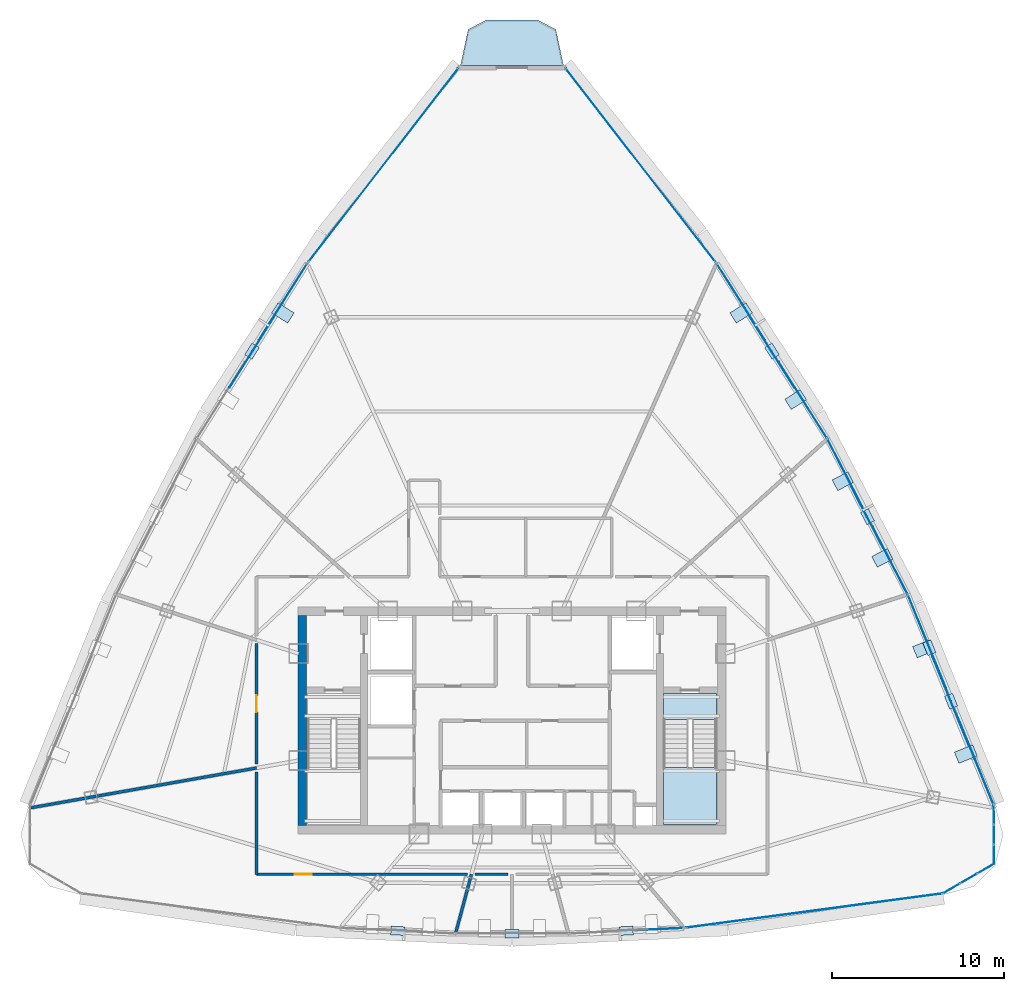
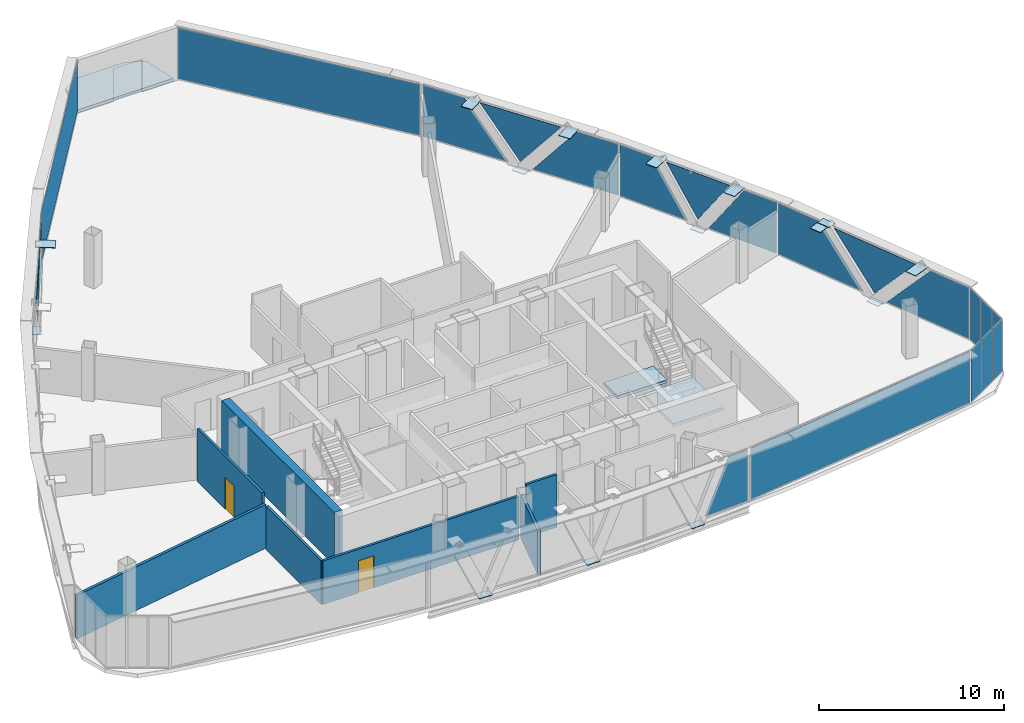
# One storey, part 21 of 27: 36 plates, 7 walls, 3 slabs, 2 doors, 2 openings, 11 elements without a shape of their own.
"""IFC4 building model written with IfcOpenShell, lengths in metres."""

from ifc_helpers import new_model, si_unit, direction, frame, frame_2d, origin, origin_with_axes, origin_2d, place, context, subcontext, project, spatial, polyline, rectangle, outline, extrude, source, transform, mapped, material, layer, layer_set, type_object, element, fill, aggregate, save


model = new_model("IFC4")

# Units and contexts
model_context = context("Model", 3, precision=1e-05, world=origin(), true_north=direction((0.0, 1.0)))
body_context = subcontext(model_context, "Body", "Model", "MODEL_VIEW")
ifc_project = project(units=[si_unit("LENGTHUNIT", "METRE"), si_unit("AREAUNIT", "SQUARE_METRE"), si_unit("VOLUMEUNIT", "CUBIC_METRE"), si_unit("PLANEANGLEUNIT", "RADIAN"), si_unit("MASSUNIT", "GRAM", prefix="KILO"), si_unit("THERMODYNAMICTEMPERATUREUNIT", "KELVIN"), si_unit("POWERUNIT", "WATT")], contexts=[model_context])

# Site, building, storey
site_placement = place(None, origin())
site = spatial("IfcSite", under=ifc_project, at=site_placement, CompositionType="ELEMENT")
building_placement = place(site_placement, origin())
building = spatial("IfcBuilding", under=site, at=building_placement, Name="Yunzhuo Pagoda Commons", CompositionType="ELEMENT")
storey_placement = place(building_placement, frame((0.0, 0.0, 344.260009765625)))
storey = spatial("IfcBuildingStorey", under=building, at=storey_placement, Name="L86", CompositionType="ELEMENT", Elevation=344.260009765625)

# Curtain wall, plate
ifc_material_1 = material(Name="Anodized aluminium 6063-T6", Category="aluminium")
ifc_layer_1 = layer(ifc_material_1, 0.139892578125)
ifc_layer_set_1 = layer_set([ifc_layer_1], Name="Anodized aluminium 6063-T6")
curtain_wall_type_1 = type_object("IfcCurtainWallType", Name="CW-HI High-Zone Ribbon Curtain Wall", PredefinedType="NOTDEFINED", material=ifc_layer_set_1)
curtain_wall_1_placement = place(storey_placement, origin())
curtain_wall_1 = element("IfcCurtainWall", 1, at=curtain_wall_1_placement, inside=storey, type_object=curtain_wall_type_1, Name="L86 curtain wall CW-L86-F1B4", PredefinedType="NOTDEFINED")
ifc_material_2 = material(Name="Tempered low-e double glazing", Category="glass")
ifc_layer_2 = layer(ifc_material_2, 0.02587890625)
ifc_layer_set_2 = layer_set([ifc_layer_2], Name="Tempered low-e double glazing")
plate_type_1 = type_object("IfcPlateType", Name="CW-HI-P Low-E Double Glazing 26", PredefinedType="CURTAIN_PANEL", material=ifc_layer_set_2)
plate_1_placement = place(storey_placement, frame((56.56884765625, 21.72509765625, 1.744873046875), z_axis=(0.048905572213, -0.998803406585, 0.0), x_axis=(0.998803406585, 0.048905572213, 0.0)))
plate_1 = element("IfcPlate", 2, at=plate_1_placement, type_object=plate_type_1, Name="CW panel 1.1 lite 3", PredefinedType="CURTAIN_PANEL", context=body_context, shape_type="SweptSolid", body=[
    extrude(outline(polyline([(-1.372802734375, -1.68994140625), (1.372802734375, -1.68994140625), (1.372802734375, 1.68994140625), (0.142822265625, 1.68994140625), (-1.372802734375, -1.68994140625)])), origin(), (0.0, 0.0, 1.0), 0.028076171875),
])
aggregate(curtain_wall_1, [plate_1])

# Curtain wall, plates
curtain_wall_2_placement = place(storey_placement, origin())
curtain_wall_2 = element("IfcCurtainWall", 3, at=curtain_wall_2_placement, inside=storey, type_object=curtain_wall_type_1, Name="L86 curtain wall CW-L86-F2B2", PredefinedType="NOTDEFINED")
plate_2_placement = place(storey_placement, frame((74.89501953125, 31.609619140625, 1.744873046875), z_axis=(0.925729863061, 0.37818543155, 0.0), x_axis=(-0.37818543155, 0.925729863061, 0.0)))
plate_2 = element("IfcPlate", 4, at=plate_2_placement, type_object=plate_type_1, Name="CW panel 1.1 lite 1", PredefinedType="CURTAIN_PANEL", context=body_context, shape_type="SweptSolid", body=[
    extrude(outline(polyline([(-2.835205078125, -1.68994140625), (2.835205078125, -1.68994140625), (-0.184326171875, 1.68994140625), (-2.835205078125, 1.68994140625), (-2.835205078125, -1.68994140625)])), origin(), (0.0, 0.0, 1.0), 0.028076171875),
])
plate_3_placement = place(storey_placement, frame((73.495849609375, 34.955078125, 1.872802734375), z_axis=(0.925729863061, 0.37818543155, 0.0), x_axis=(-0.37818543155, 0.925729863061, 0.0)))
plate_3 = element("IfcPlate", 5, at=plate_3_placement, type_object=plate_type_1, Name="CW panel 1.1 lite 2", PredefinedType="CURTAIN_PANEL", context=body_context, shape_type="SweptSolid", body=[
    extrude(outline(polyline([(-2.791259765625, 1.562255859375), (0.0, -1.562255859375), (2.791259765625, 1.562255859375), (-2.791259765625, 1.562255859375)])), origin(), (0.0, 0.0, 1.0), 0.028076171875),
])
plate_4_placement = place(storey_placement, frame((72.11865234375, 38.406005859375, 1.744873046875), z_axis=(0.925729863061, 0.37818543155, 0.0), x_axis=(-0.37818543155, 0.925729863061, 0.0)))
plate_4 = element("IfcPlate", 6, at=plate_4_placement, type_object=plate_type_1, Name="CW panel 1.1 lite 3", PredefinedType="CURTAIN_PANEL", context=body_context, shape_type="SweptSolid", body=[
    extrude(outline(polyline([(-2.924560546875, -1.68994140625), (2.924560546875, -1.68994140625), (2.924560546875, 1.68994140625), (0.0947265625, 1.68994140625), (-2.924560546875, -1.68994140625)])), origin(), (0.0, 0.0, 1.0), 0.028076171875),
])
aggregate(curtain_wall_2, [plate_2, plate_3, plate_4])

curtain_wall_3_placement = place(storey_placement, origin())
curtain_wall_3 = element("IfcCurtainWall", 7, at=curtain_wall_3_placement, inside=storey, type_object=curtain_wall_type_1, Name="L86 curtain wall CW-L86-F2B3", PredefinedType="NOTDEFINED")
plate_5_placement = place(storey_placement, frame((69.9638671875, 43.154052734375, 1.744873046875), z_axis=(0.888380452968, 0.459108016467, 0.0), x_axis=(-0.459108016467, 0.888380452968, 0.0)))
plate_5 = element("IfcPlate", 8, at=plate_5_placement, type_object=plate_type_1, Name="CW panel 1.1 lite 1", PredefinedType="CURTAIN_PANEL", context=body_context, shape_type="SweptSolid", body=[
    extrude(outline(polyline([(-2.17578125, -1.68994140625), (2.17578125, -1.68994140625), (-0.115478515625, 1.68994140625), (-2.17578125, 1.68994140625), (-2.17578125, -1.68994140625)])), origin(), (0.0, 0.0, 1.0), 0.028076171875),
])
plate_6_placement = place(storey_placement, frame((68.62939453125, 45.6708984375, 1.926025390625), z_axis=(0.888380452968, 0.459108016467, 0.0), x_axis=(-0.459108016467, 0.888380452968, 0.0)))
plate_6 = element("IfcPlate", 9, at=plate_6_placement, type_object=plate_type_1, Name="CW panel 1.1 lite 2", PredefinedType="CURTAIN_PANEL", context=body_context, shape_type="SweptSolid", body=[
    extrude(outline(polyline([(-2.0458984375, 1.5087890625), (0.0, -1.5087890625), (2.0458984375, 1.5087890625), (-2.0458984375, 1.5087890625)])), origin(), (0.0, 0.0, 1.0), 0.028076171875),
])
plate_7_placement = place(storey_placement, frame((67.34814453125, 48.21533203125, 1.744873046875), z_axis=(0.888380452968, 0.459108016467, 0.0), x_axis=(-0.459108016467, 0.888380452968, 0.0)))
plate_7 = element("IfcPlate", 10, at=plate_7_placement, type_object=plate_type_1, Name="CW panel 1.1 lite 3", PredefinedType="CURTAIN_PANEL", context=body_context, shape_type="SweptSolid", body=[
    extrude(outline(polyline([(-2.17578125, -1.68994140625), (2.17578125, -1.68994140625), (2.17578125, 1.68994140625), (0.115478515625, 1.68994140625), (-2.17578125, -1.68994140625)])), origin(), (0.0, 0.0, 1.0), 0.028076171875),
])
aggregate(curtain_wall_3, [plate_5, plate_6, plate_7])

curtain_wall_4_placement = place(storey_placement, origin())
curtain_wall_4 = element("IfcCurtainWall", 11, at=curtain_wall_4_placement, inside=storey, type_object=curtain_wall_type_1, Name="L86 curtain wall CW-L86-F2B4", PredefinedType="NOTDEFINED")
plate_8_placement = place(storey_placement, frame((64.894287109375, 52.46484375, 1.744873046875), z_axis=(0.845817518552, 0.533472328532, 0.0), x_axis=(-0.533472328532, 0.845817518552, 0.0)))
plate_8 = element("IfcPlate", 12, at=plate_8_placement, type_object=plate_type_1, Name="CW panel 1.1 lite 1", PredefinedType="CURTAIN_PANEL", context=body_context, shape_type="SweptSolid", body=[
    extrude(outline(polyline([(-2.616943359375, -1.68994140625), (2.616943359375, -1.68994140625), (-0.102783203125, 1.68994140625), (-2.616943359375, 1.68994140625), (-2.616943359375, -1.68994140625)])), origin(), (0.0, 0.0, 1.0), 0.028076171875),
])
plate_9_placement = place(storey_placement, frame((63.077392578125, 55.2890625, 1.890625), z_axis=(0.845817518552, 0.533472328532, 0.0), x_axis=(-0.533472328532, 0.845817518552, 0.0)))
plate_9 = element("IfcPlate", 13, at=plate_9_placement, type_object=plate_type_1, Name="CW panel 1.1 lite 2", PredefinedType="CURTAIN_PANEL", context=body_context, shape_type="SweptSolid", body=[
    extrude(outline(polyline([(-2.4853515625, 1.54443359375), (0.0, -1.54443359375), (2.4853515625, 1.54443359375), (-2.4853515625, 1.54443359375)])), origin(), (0.0, 0.0, 1.0), 0.028076171875),
])
plate_10_placement = place(storey_placement, frame((61.311279296875, 58.145263671875, 1.744873046875), z_axis=(0.845817518552, 0.533472328532, 0.0), x_axis=(-0.533472328532, 0.845817518552, 0.0)))
plate_10 = element("IfcPlate", 14, at=plate_10_placement, type_object=plate_type_1, Name="CW panel 1.1 lite 3", PredefinedType="CURTAIN_PANEL", context=body_context, shape_type="SweptSolid", body=[
    extrude(outline(polyline([(-2.616943359375, -1.68994140625), (2.616943359375, -1.68994140625), (2.616943359375, 1.68994140625), (0.102783203125, 1.68994140625), (-2.616943359375, -1.68994140625)])), origin(), (0.0, 0.0, 1.0), 0.028076171875),
])
aggregate(curtain_wall_4, [plate_8, plate_9, plate_10])

curtain_wall_5_placement = place(storey_placement, origin())
curtain_wall_5 = element("IfcCurtainWall", 15, at=curtain_wall_5_placement, inside=storey, type_object=curtain_wall_type_1, Name="L86 curtain wall CW-L86-F3B2", PredefinedType="NOTDEFINED")
plate_11_placement = place(storey_placement, frame((34.688720703125, 58.145263671875, 1.744873046875), z_axis=(-0.845817518552, 0.533472328532, 0.0), x_axis=(-0.533472328532, -0.845817518552, 0.0)))
plate_11 = element("IfcPlate", 16, at=plate_11_placement, type_object=plate_type_1, Name="CW panel 1.1 lite 1", PredefinedType="CURTAIN_PANEL", context=body_context, shape_type="SweptSolid", body=[
    extrude(outline(polyline([(-2.616943359375, -1.68994140625), (2.616943359375, -1.68994140625), (-0.102783203125, 1.68994140625), (-2.616943359375, 1.68994140625), (-2.616943359375, -1.68994140625)])), origin(), (0.0, 0.0, 1.0), 0.028076171875),
])
plate_12_placement = place(storey_placement, frame((32.922607421875, 55.2890625, 1.890625), z_axis=(-0.845817518552, 0.533472328532, 0.0), x_axis=(-0.533472328532, -0.845817518552, 0.0)))
plate_12 = element("IfcPlate", 17, at=plate_12_placement, type_object=plate_type_1, Name="CW panel 1.1 lite 2", PredefinedType="CURTAIN_PANEL", context=body_context, shape_type="SweptSolid", body=[
    extrude(outline(polyline([(-2.485595703125, 1.54443359375), (0.0, -1.54443359375), (2.485595703125, 1.54443359375), (-2.485595703125, 1.54443359375)])), origin(), (0.0, 0.0, 1.0), 0.028076171875),
])
aggregate(curtain_wall_5, [plate_11, plate_12])

# Slab
ifc_material_3 = material(Name="Concrete C40", Category="concrete")
ifc_layer_3 = layer(ifc_material_3, 0.199951171875)
ifc_layer_set_3 = layer_set([ifc_layer_3], Name="Concrete C40")
slab_type_1 = type_object("IfcSlabType", Name="SL-BAL Vertex Balcony Deck Slab 200", PredefinedType="FLOOR", material=ifc_layer_set_3)
slab_1_placement = place(storey_placement, frame((0.0, 0.0, -0.199951171875)))
element("IfcSlab", 18, at=slab_1_placement, inside=storey, type_object=slab_type_1, Name="L86 corner balcony V3", PredefinedType="FLOOR", context=body_context, shape_type="SweptSolid", body=[
    extrude(outline(polyline([(50.996337890625, 71.916259765625), (45.003662109375, 71.916259765625), (45.45361328125, 74.01123046875), (46.501708984375, 74.561279296875), (49.498291015625, 74.561279296875), (50.54638671875, 74.01123046875), (50.996337890625, 71.916259765625)])), origin(), (0.0, 0.0, 1.0), 0.199951171875),
])

# Stair, slabs
stair_type = type_object("IfcStairType", Name="ST-C2 Core Smokeproof Stair ST2", PredefinedType="HALF_TURN_STAIR", material=ifc_material_3)
stair_placement = place(storey_placement, origin())
stair = element("IfcStair", 19, at=stair_placement, inside=storey, type_object=stair_type, Name="L86 Core smokeproof stair ST2", PredefinedType="HALF_TURN_STAIR")
ifc_layer_4 = layer(ifc_material_3, 0.201904296875)
ifc_layer_set_4 = layer_set([ifc_layer_4], Name="Concrete C40")
slab_type_2 = type_object("IfcSlabType", Name="SL-LND2 Stair Landing Slab 202", PredefinedType="LANDING", material=ifc_layer_set_4)
slab_2_placement = place(storey_placement, frame((0.0, 0.0, 1.675048828125)))
slab_2 = element("IfcSlab", 20, at=slab_2_placement, type_object=slab_type_2, Name="ST2 landing 1", PredefinedType="LANDING", context=body_context, shape_type="SweptSolid", body=[
    extrude(outline(polyline([(56.800048828125, 31.10009765625), (56.800048828125, 27.800048828125), (59.89990234375, 27.800048828125), (59.89990234375, 31.10009765625), (56.800048828125, 31.10009765625)])), origin(), (0.0, 0.0, 1.0), 0.199951171875),
])
slab_3_placement = place(storey_placement, frame((0.0, 0.0, -0.199951171875)))
slab_3 = element("IfcSlab", 21, at=slab_3_placement, type_object=slab_type_2, Name="ST2 floor landing L86", PredefinedType="LANDING", context=body_context, shape_type="SweptSolid", body=[
    extrude(outline(polyline([(56.800048828125, 35.39990234375), (56.800048828125, 33.89990234375), (59.89990234375, 33.89990234375), (59.89990234375, 35.39990234375), (56.800048828125, 35.39990234375)])), origin(), (0.0, 0.0, 1.0), 0.199951171875),
])
aggregate(stair, [slab_2, slab_3])

# Plates
ifc_material_4 = material(Name="Structural steel Q355B", Category="steel")
ifc_layer_5 = layer(ifc_material_4, 0.028076171875)
ifc_layer_set_5 = layer_set([ifc_layer_5], Name="Structural steel Q355B")
plate_type_2 = type_object("IfcPlateType", Name="SP-ND1 Lattice Node Cap Plate 800x500x28", PredefinedType="USERDEFINED", material=ifc_layer_set_5)
shared_shape_1 = source(origin(), body_context, "Body", "SweptSolid", [
    extrude(rectangle(XDim=0.800048828125, YDim=0.5, at=origin_2d()), origin(), (0.0, 0.0, 1.0), 0.028076171875),
])
for number, where, z_axis, x_axis, name in (
    (22, (41.358642578125, 21.616943359375, -0.27392578125), (0.0, 0.0, 1.0), (0.998803578204, -0.048902067096, 0.0), "L86 diamond node plate F1.1A"),
    (23, (48.0, 21.452392578125, -0.27392578125), (0.0, 0.0, 1.0), (1.0, 0.0, 0.0), "L86 diamond node plate F1.2A"),
    (24, (54.641357421875, 21.616943359375, -0.27392578125), (0.0, 0.0, 1.0), (0.998803578204, 0.048902067096, 0.0), "L86 diamond node plate F1.3A"),
    (25, (73.5205078125, 34.965087890625, -0.27392578125), (0.0, 0.0, 1.0), (-0.375755256687, 0.926718936395, 0.0), "L86 diamond node plate F2.1A"),
    (26, (68.66845703125, 45.691162109375, -0.27392578125), (0.0, 0.0, 1.0), (-0.459114770487, 0.888376962511, 0.0), "L86 diamond node plate F2.2A"),
    (27, (63.11474609375, 55.3125, -0.27392578125), (0.0, 0.0, 1.0), (-0.533466900438, 0.845820942125, 0.0), "L86 diamond node plate F2.3A"),
    (28, (32.88525390625, 55.3125, -0.27392578125), (0.0, 0.0, 1.0), (-0.533466900438, -0.845820942125, 0.0), "L86 diamond node plate F3.1A"),
):
    element("IfcPlate", number, at=place(storey_placement, frame(where, z_axis=z_axis, x_axis=x_axis)), inside=storey, type_object=plate_type_2, Name=name, ObjectType="STIFFENER_PLATE", PredefinedType="USERDEFINED", context=body_context, shape_type="MappedRepresentation", body=[
        mapped(shared_shape_1, transform((0.0, 0.0, 0.0), scale=1.0)),
    ])
ifc_layer_6 = layer(ifc_material_4, 0.028076171875)
ifc_layer_set_6 = layer_set([ifc_layer_6], Name="Structural steel Q355B")
plate_type_3 = type_object("IfcPlateType", Name="EP-DL1 Diamond Brace End Plate 800x500x28", PredefinedType="USERDEFINED", material=ifc_layer_set_6)
plate_13_placement = place(storey_placement, frame((72.26171875, 38.069580078125, 3.48779296875), z_axis=(0.0, 0.0, 1.0), x_axis=(-0.375755256687, 0.926718936395, 0.0)))
element("IfcPlate", 29, at=plate_13_placement, inside=storey, type_object=plate_type_3, Name="L86 diamond brace end plate F2.1R", ObjectType="END_PLATE", PredefinedType="USERDEFINED", context=body_context, shape_type="MappedRepresentation", body=[
    mapped(shared_shape_1, transform((0.0, 0.0, 0.0), scale=1.0)),
])
shared_shape_2 = source(origin(), body_context, "Body", "SweptSolid", [
    extrude(rectangle(XDim=0.699951171875, YDim=1.022216796875, at=origin_2d()), origin(), (0.0, 0.0, 1.0), 0.035888671875),
])
plate_14_placement = place(storey_placement, frame((69.528564453125, 43.296142578125, 3.4521484375), z_axis=(0.0, 0.0, 1.0), x_axis=(-0.459114770487, 0.888376962511, 0.0)))
element("IfcPlate", 30, at=plate_14_placement, inside=storey, type_object=plate_type_2, Name="L86 setback lattice tie plate F2.2L", ObjectType="STIFFENER_PLATE", PredefinedType="USERDEFINED", context=body_context, shape_type="MappedRepresentation", body=[
    mapped(shared_shape_2, transform((0.0, 0.0, 0.0), scale=1.0)),
])
shared_shape_3 = source(origin(), body_context, "Body", "SweptSolid", [
    extrude(rectangle(XDim=0.699951171875, YDim=1.023681640625, at=origin_2d()), origin(), (0.0, 0.0, 1.0), 0.035888671875),
])
plate_15_placement = place(storey_placement, frame((67.22900390625, 47.751220703125, 3.4521484375), z_axis=(0.0, 0.0, 1.0), x_axis=(-0.459114770487, 0.888376962511, 0.0)))
element("IfcPlate", 31, at=plate_15_placement, inside=storey, type_object=plate_type_2, Name="L86 setback lattice tie plate F2.2R", ObjectType="STIFFENER_PLATE", PredefinedType="USERDEFINED", context=body_context, shape_type="MappedRepresentation", body=[
    mapped(shared_shape_3, transform((0.0, 0.0, 0.0), scale=1.0)),
])
shared_shape_4 = source(origin(), body_context, "Body", "SweptSolid", [
    extrude(rectangle(XDim=0.699951171875, YDim=1.05029296875, at=origin_2d()), origin(), (0.0, 0.0, 1.0), 0.035888671875),
])
plate_16_placement = place(storey_placement, frame((64.492919921875, 52.49755859375, 3.4521484375), z_axis=(0.0, 0.0, 1.0), x_axis=(-0.533466900438, 0.845820942125, 0.0)))
element("IfcPlate", 32, at=plate_16_placement, inside=storey, type_object=plate_type_2, Name="L86 setback lattice tie plate F2.3L", ObjectType="STIFFENER_PLATE", PredefinedType="USERDEFINED", context=body_context, shape_type="MappedRepresentation", body=[
    mapped(shared_shape_4, transform((0.0, 0.0, 0.0), scale=1.0)),
])
shared_shape_5 = source(origin(), body_context, "Body", "SweptSolid", [
    extrude(rectangle(XDim=0.699951171875, YDim=1.10546875, at=origin_2d()), origin(), (0.0, 0.0, 1.0), 0.035888671875),
])
for number, where, z_axis, x_axis, name in (
    (33, (61.320068359375, 57.535400390625, 3.4521484375), (0.0, 0.0, 1.0), (-0.533466900438, 0.845820942125, 0.0), "L86 setback lattice tie plate F2.3R"),
    (34, (34.679931640625, 57.535400390625, 3.4521484375), (0.0, 0.0, 1.0), (-0.533466900438, -0.845820942125, 0.0), "L86 setback lattice tie plate F3.1L"),
):
    element("IfcPlate", number, at=place(storey_placement, frame(where, z_axis=z_axis, x_axis=x_axis)), inside=storey, type_object=plate_type_2, Name=name, ObjectType="STIFFENER_PLATE", PredefinedType="USERDEFINED", context=body_context, shape_type="MappedRepresentation", body=[
        mapped(shared_shape_5, transform((0.0, 0.0, 0.0), scale=1.0)),
    ])
shared_shape_6 = source(origin(), body_context, "Body", "SweptSolid", [
    extrude(rectangle(XDim=0.699951171875, YDim=1.147705078125, at=origin_2d()), origin(), (0.0, 0.0, 1.0), 0.035888671875),
])
plate_17_placement = place(storey_placement, frame((74.38134765625, 31.89013671875, 3.4521484375), z_axis=(0.0, 0.0, 1.0), x_axis=(-0.375755256687, 0.926718936395, 0.0)))
element("IfcPlate", 35, at=plate_17_placement, inside=storey, type_object=plate_type_2, Name="L86 setback lattice tie plate F2.1L", ObjectType="STIFFENER_PLATE", PredefinedType="USERDEFINED", context=body_context, shape_type="MappedRepresentation", body=[
    mapped(shared_shape_6, transform((0.0, 0.0, 0.0), scale=1.0)),
])
shared_shape_7 = source(origin(), body_context, "Body", "SweptSolid", [
    extrude(rectangle(XDim=0.699951171875, YDim=1.058349609375, at=origin_2d()), origin(), (0.0, 0.0, 1.0), 0.035888671875),
])
plate_18_placement = place(storey_placement, frame((71.91259765625, 38.009033203125, 3.4521484375), z_axis=(0.0, 0.0, 1.0), x_axis=(-0.375755256687, 0.926718936395, 0.0)))
element("IfcPlate", 36, at=plate_18_placement, inside=storey, type_object=plate_type_2, Name="L86 setback lattice tie plate F2.1R", ObjectType="STIFFENER_PLATE", PredefinedType="USERDEFINED", context=body_context, shape_type="MappedRepresentation", body=[
    mapped(shared_shape_7, transform((0.0, 0.0, 0.0), scale=1.0)),
])

# Curtain wall, plate
curtain_wall_6_placement = place(storey_placement, origin())
curtain_wall_6 = element("IfcCurtainWall", 37, at=curtain_wall_6_placement, inside=storey, type_object=curtain_wall_type_1, Name="L86 curtain wall CW-L86-F1B5", PredefinedType="NOTDEFINED")
shared_shape_8 = source(origin(), body_context, "Body", "SweptSolid", [
    extrude(rectangle(XDim=14.9833984375, YDim=0.028076171875, at=origin_2d()), origin(), (0.0, 0.0, 1.0), 3.3798828125),
])
plate_19_placement = place(storey_placement, frame((65.560791015625, 22.78857421875, 0.054931640625), z_axis=(0.0, 0.0, 1.0), x_axis=(0.991240559845, 0.132068741636, 0.0)))
plate_19 = element("IfcPlate", 38, at=plate_19_placement, type_object=plate_type_1, Name="CW panel 1.1", PredefinedType="CURTAIN_PANEL", context=body_context, shape_type="MappedRepresentation", body=[
    mapped(shared_shape_8, transform((0.0, 0.0, 0.0), scale=1.0)),
])
aggregate(curtain_wall_6, [plate_19])

curtain_wall_7_placement = place(storey_placement, origin())
curtain_wall_7 = element("IfcCurtainWall", 39, at=curtain_wall_7_placement, inside=storey, type_object=curtain_wall_type_1, Name="L86 curtain wall CW-L86-F2B5", PredefinedType="NOTDEFINED")
shared_shape_9 = source(origin(), body_context, "Body", "SweptSolid", [
    extrude(rectangle(XDim=14.180419921875, YDim=0.028076171875, at=origin_2d()), origin(), (0.0, 0.0, 1.0), 3.3798828125),
])
plate_20_placement = place(storey_placement, frame((55.470458984375, 66.12890625, 0.054931640625), z_axis=(0.0, 0.0, 1.0), x_axis=(-0.612426610189, 0.79052744869, 0.0)))
plate_20 = element("IfcPlate", 40, at=plate_20_placement, type_object=plate_type_1, Name="CW panel 1.1", PredefinedType="CURTAIN_PANEL", context=body_context, shape_type="MappedRepresentation", body=[
    mapped(shared_shape_9, transform((0.0, 0.0, 0.0), scale=1.0)),
])
aggregate(curtain_wall_7, [plate_20])

curtain_wall_8_placement = place(storey_placement, origin())
curtain_wall_8 = element("IfcCurtainWall", 41, at=curtain_wall_8_placement, inside=storey, type_object=curtain_wall_type_1, Name="L86 curtain wall CW-L86-F3B1", PredefinedType="NOTDEFINED")
plate_21_placement = place(storey_placement, frame((40.529541015625, 66.12890625, 0.054931640625), z_axis=(0.0, 0.0, 1.0), x_axis=(-0.612426610189, -0.79052744869, 0.0)))
plate_21 = element("IfcPlate", 42, at=plate_21_placement, type_object=plate_type_1, Name="CW panel 1.1", PredefinedType="CURTAIN_PANEL", context=body_context, shape_type="MappedRepresentation", body=[
    mapped(shared_shape_9, transform((0.0, 0.0, 0.0), scale=1.0)),
])
aggregate(curtain_wall_8, [plate_21])

# Curtain wall, plates
ifc_layer_7 = layer(ifc_material_1, 0.1298828125)
ifc_layer_set_7 = layer_set([ifc_layer_7], Name="Anodized aluminium 6063-T6")
curtain_wall_type_2 = type_object("IfcCurtainWallType", Name="CW-VTX Rounded Corner Curtain Wall", PredefinedType="NOTDEFINED", material=ifc_layer_set_7)
curtain_wall_9_placement = place(storey_placement, origin())
curtain_wall_9 = element("IfcCurtainWall", 43, at=curtain_wall_9_placement, inside=storey, type_object=curtain_wall_type_2, Name="L86 curtain wall CW-L86-VTX2S1", PredefinedType="NOTDEFINED")
ifc_layer_8 = layer(ifc_material_2, 0.02587890625)
ifc_layer_set_8 = layer_set([ifc_layer_8], Name="Tempered low-e double glazing")
plate_type_4 = type_object("IfcPlateType", Name="CW-VTX-P Low-E Double Glazing 26", PredefinedType="CURTAIN_PANEL", material=ifc_layer_set_8)
shared_shape_10 = source(origin(), body_context, "Body", "SweptSolid", [
    extrude(rectangle(XDim=1.076416015625, YDim=0.028076171875, at=origin_2d()), origin(), (0.0, 0.0, 1.0), 3.3798828125),
])
plate_22_placement = place(storey_placement, frame((73.559814453125, 24.083251953125, 0.054931640625), z_axis=(0.0, 0.0, 1.0), x_axis=(0.865430880416, 0.501028333753, 0.0)))
plate_22 = element("IfcPlate", 44, at=plate_22_placement, type_object=plate_type_4, Name="CW panel 1.1", PredefinedType="CURTAIN_PANEL", context=body_context, shape_type="MappedRepresentation", body=[
    mapped(shared_shape_10, transform((0.0, 0.0, 0.0), scale=1.0)),
])
plate_23_placement = place(storey_placement, frame((75.541748046875, 25.230712890625, 0.054931640625), z_axis=(0.0, 0.0, 1.0), x_axis=(0.865430880416, 0.501028333753, 0.0)))
plate_23 = element("IfcPlate", 45, at=plate_23_placement, type_object=plate_type_4, Name="CW panel 3.1", PredefinedType="CURTAIN_PANEL", context=body_context, shape_type="MappedRepresentation", body=[
    mapped(shared_shape_10, transform((0.0, 0.0, 0.0), scale=1.0)),
])

curtain_wall_10_placement = place(storey_placement, origin())
curtain_wall_10 = element("IfcCurtainWall", 46, at=curtain_wall_10_placement, inside=storey, type_object=curtain_wall_type_2, Name="L86 curtain wall CW-L86-VTX2S2", PredefinedType="NOTDEFINED")
plate_24_placement = place(storey_placement, frame((76.01318359375, 26.051513671875, 0.054931640625), z_axis=(0.0, 0.0, 1.0), x_axis=(-0.003566680416, 0.999993639375, 0.0)))
plate_24 = element("IfcPlate", 47, at=plate_24_placement, type_object=plate_type_4, Name="CW panel 1.1", PredefinedType="CURTAIN_PANEL", context=body_context, shape_type="MappedRepresentation", body=[
    mapped(shared_shape_10, transform((0.0, 0.0, 0.0), scale=1.0)),
])
plate_25_placement = place(storey_placement, frame((76.005126953125, 28.341796875, 0.054931640625), z_axis=(0.0, 0.0, 1.0), x_axis=(-0.003566680416, 0.999993639375, 0.0)))
plate_25 = element("IfcPlate", 48, at=plate_25_placement, type_object=plate_type_4, Name="CW panel 3.1", PredefinedType="CURTAIN_PANEL", context=body_context, shape_type="MappedRepresentation", body=[
    mapped(shared_shape_10, transform((0.0, 0.0, 0.0), scale=1.0)),
])
shared_shape_11 = source(origin(), body_context, "Body", "SweptSolid", [
    extrude(rectangle(XDim=1.103759765625, YDim=0.028076171875, at=origin_2d()), origin(), (0.0, 0.0, 1.0), 3.3798828125),
])
plate_26_placement = place(storey_placement, frame((76.009033203125, 27.19677734375, 0.054931640625), z_axis=(0.0, 0.0, 1.0), x_axis=(-0.003566680416, 0.999993639375, 0.0)))
plate_26 = element("IfcPlate", 49, at=plate_26_placement, type_object=plate_type_4, Name="CW panel 2.1", PredefinedType="CURTAIN_PANEL", context=body_context, shape_type="MappedRepresentation", body=[
    mapped(shared_shape_11, transform((0.0, 0.0, 0.0), scale=1.0)),
])
aggregate(curtain_wall_10, [plate_24, plate_26, plate_25])

# Plate
shared_shape_12 = source(origin(), body_context, "Body", "SweptSolid", [
    extrude(rectangle(XDim=1.10400390625, YDim=0.028076171875, at=origin_2d()), origin(), (0.0, 0.0, 1.0), 3.3798828125),
])
plate_27_placement = place(storey_placement, frame((74.55078125, 24.656982421875, 0.054931640625), z_axis=(0.0, 0.0, 1.0), x_axis=(0.865430880416, 0.501028333753, 0.0)))
plate_27 = element("IfcPlate", 50, at=plate_27_placement, type_object=plate_type_4, Name="CW panel 2.1", PredefinedType="CURTAIN_PANEL", context=body_context, shape_type="MappedRepresentation", body=[
    mapped(shared_shape_12, transform((0.0, 0.0, 0.0), scale=1.0)),
])

aggregate(curtain_wall_9, [plate_22, plate_27, plate_23])

# Walls
ifc_material_5 = material(Name="Concrete C50", Category="concrete")
ifc_layer_9 = layer(ifc_material_5, 0.5)
ifc_layer_set_9 = layer_set([ifc_layer_9], Name="Concrete C50")
wall_type_1 = type_object("IfcWallType", Name="W-C03 Upper Core Shear Wall 500", PredefinedType="SHEAR", material=ifc_layer_set_9)
wall_1_placement = place(storey_placement, frame((35.800048828125, 27.75, 0.0), z_axis=(0.0, 0.0, 1.0), x_axis=(0.0, 1.0, 0.0)))
element("IfcWall", 51, at=wall_1_placement, inside=storey, type_object=wall_type_1, Name="L86 core shear wall W", PredefinedType="SHEAR", context=body_context, shape_type="SweptSolid", body=[
    extrude(rectangle(XDim=12.199951171875, YDim=0.5, at=frame_2d((6.10009765625, 0.0))), origin(), (0.0, 0.0, 1.0), 3.489990234375),
])
ifc_material_6 = material(Name="Gypsum plasterboard on acoustic stud")
ifc_layer_10 = layer(ifc_material_6, 0.14990234375)
ifc_layer_set_10 = layer_set([ifc_layer_10], Name="Gypsum plasterboard on acoustic stud")
wall_type_2 = type_object("IfcWallType", Name="W-COR3 High-Zone Rated Corridor Wall 150", PredefinedType="PARTITIONING", material=ifc_layer_set_10)
wall_2_placement = place(storey_placement, frame((33.14990234375, 24.89990234375, 0.0), z_axis=(0.0, 0.0, 1.0), x_axis=(0.0, 1.0, 0.0)))
element("IfcWall", 52, at=wall_2_placement, inside=storey, type_object=wall_type_2, Name="L86 interior wall IW-L86-CWL01", PredefinedType="PARTITIONING", context=body_context, shape_type="SweptSolid", body=[
    extrude(rectangle(XDim=5.958251953125, YDim=0.14990234375, at=frame_2d((2.97900390625, 0.0))), origin(), (0.0, 0.0, 1.0), 2.889892578125),
])

# Wall, opening, door
wall_3_placement = place(storey_placement, frame((33.14990234375, 31.30126953125, 0.0), z_axis=(0.0, 0.0, 1.0), x_axis=(0.0, 1.0, 0.0)))
wall_3 = element("IfcWall", 53, at=wall_3_placement, inside=storey, type_object=wall_type_2, Name="L86 interior wall IW-L86-CWL02", PredefinedType="PARTITIONING", context=body_context, shape_type="SweptSolid", body=[
    extrude(rectangle(XDim=7.004150390625, YDim=0.14990234375, at=frame_2d((3.501953125, 0.0))), origin(), (0.0, 0.0, 1.0), 3.489990234375),
])
opening_1_placement = place(wall_3_placement, frame((3.027099609375, 0.0, 0.0)))
opening_1 = element("IfcOpeningElement", 54, at=opening_1_placement, cuts=wall_3, Name="Opening D-08", PredefinedType="OPENING", context=body_context, shape_type="SweptSolid", body=[
    extrude(rectangle(XDim=0.97998046875, YDim=2.1201171875, at=frame_2d((0.489990234375, 1.06005859375))), frame((0.0, 0.0849609375, 0.0), z_axis=(0.0, -1.0, 0.0), x_axis=(1.0, 0.0, 0.0)), (0.0, 0.0, 1.0), 0.169921875),
])
ifc_material_7 = material(Name="Galvanized fire-resisting metal leaf")
door_type = type_object("IfcDoorType", Name="D-08 High-Zone Suite Entrance Fire Door 980x2120", OperationType="NOTDEFINED", PredefinedType="DOOR", material=ifc_material_7)
shared_shape_13 = source(origin(), body_context, "Body", "SweptSolid", [
    extrude(rectangle(XDim=0.97998046875, YDim=2.1201171875, at=frame_2d((0.489990234375, 1.06005859375))), frame((0.0, 0.02490234375, 0.0), z_axis=(0.0, -1.0, 0.0), x_axis=(1.0, 0.0, 0.0)), (0.0, 0.0, 1.0), 0.050048828125),
])
door_1_placement = place(opening_1_placement, origin_with_axes())
door_1 = element("IfcDoor", 55, at=door_1_placement, inside=storey, type_object=door_type, Name="L86 unit 05 entrance door", OperationType="SINGLE_SWING_RIGHT", OverallHeight=2.1201171875, OverallWidth=0.97998046875, PredefinedType="DOOR", context=body_context, shape_type="MappedRepresentation", body=[
    mapped(shared_shape_13, transform((0.0, 0.0, 0.0), scale=1.0)),
])
fill(opening_1, door_1)

# Wall
wall_4_placement = place(storey_placement, frame((47.780029296875, 24.89990234375, 0.0), z_axis=(0.0, 0.0, 1.0), x_axis=(-1.0, 0.0, 0.0)))
element("IfcWall", 56, at=wall_4_placement, inside=storey, type_object=wall_type_2, Name="L86 interior wall IW-L86-CWL16", PredefinedType="PARTITIONING", context=body_context, shape_type="SweptSolid", body=[
    extrude(rectangle(XDim=1.918212890625, YDim=0.14990234375, at=frame_2d((0.958984375, 0.0))), origin(), (0.0, 0.0, 1.0), 3.489990234375),
])

# Wall, opening, door
wall_5_placement = place(storey_placement, frame((45.414306640625, 24.89990234375, 0.0), z_axis=(0.0, 0.0, 1.0), x_axis=(-1.0, 0.0, 0.0)))
wall_5 = element("IfcWall", 57, at=wall_5_placement, inside=storey, type_object=wall_type_2, Name="L86 interior wall IW-L86-CWL17", PredefinedType="PARTITIONING", context=body_context, shape_type="SweptSolid", body=[
    extrude(rectangle(XDim=12.264404296875, YDim=0.14990234375, at=frame_2d((6.13232421875, 0.0))), origin(), (0.0, 0.0, 1.0), 2.889892578125),
])
opening_2_placement = place(wall_5_placement, frame((9.06396484375, 0.0, 0.0)))
opening_2 = element("IfcOpeningElement", 58, at=opening_2_placement, cuts=wall_5, Name="Opening D-08", PredefinedType="OPENING", context=body_context, shape_type="SweptSolid", body=[
    extrude(rectangle(XDim=0.97998046875, YDim=2.1201171875, at=frame_2d((0.489990234375, 1.06005859375))), frame((0.0, 0.0849609375, 0.0), z_axis=(0.0, -1.0, 0.0), x_axis=(1.0, 0.0, 0.0)), (0.0, 0.0, 1.0), 0.169921875),
])
door_2_placement = place(opening_2_placement, origin_with_axes())
door_2 = element("IfcDoor", 59, at=door_2_placement, inside=storey, type_object=door_type, Name="L86 Resident Co-Living Commons Hall door", OperationType="SINGLE_SWING_LEFT", OverallHeight=2.1201171875, OverallWidth=0.97998046875, PredefinedType="DOOR", context=body_context, shape_type="MappedRepresentation", body=[
    mapped(shared_shape_13, transform((0.0, 0.0, 0.0), scale=1.0)),
])
fill(opening_2, door_2)

# Walls
ifc_layer_11 = layer(ifc_material_6, 0.169921875)
ifc_layer_set_11 = layer_set([ifc_layer_11], Name="Gypsum plasterboard on acoustic stud")
wall_type_3 = type_object("IfcWallType", Name="W-PRT4 High-Zone Demising Wall 170", PredefinedType="PARTITIONING", material=ifc_layer_set_11)
wall_6_placement = place(storey_placement, frame((33.14990234375, 31.08154296875, 0.0), z_axis=(0.0, 0.0, 1.0), x_axis=(-0.984808938627, -0.173641453575, 0.0)))
element("IfcWall", 60, at=wall_6_placement, inside=storey, type_object=wall_type_3, Name="L86 interior wall IW-L86-RAD06", PredefinedType="PARTITIONING", context=body_context, shape_type="SweptSolid", body=[
    extrude(rectangle(XDim=13.3583984375, YDim=0.169921875, at=frame_2d((6.67919921875, 0.0))), origin(), (0.0, 0.0, 1.0), 2.889892578125),
])
wall_7_placement = place(storey_placement, frame((45.64208984375, 24.89990234375, 0.0), z_axis=(0.0, 0.0, 1.0), x_axis=(-0.258837518281, -0.965920876227, 0.0)))
element("IfcWall", 61, at=wall_7_placement, inside=storey, type_object=wall_type_3, Name="L86 interior wall IW-L86-RAD07", PredefinedType="PARTITIONING", context=body_context, shape_type="SweptSolid", body=[
    extrude(rectangle(XDim=3.569091796875, YDim=0.169921875, at=frame_2d((1.78466796875, 0.0))), origin(), (0.0, 0.0, 1.0), 2.889892578125),
])

save(model, "model.ifc")
